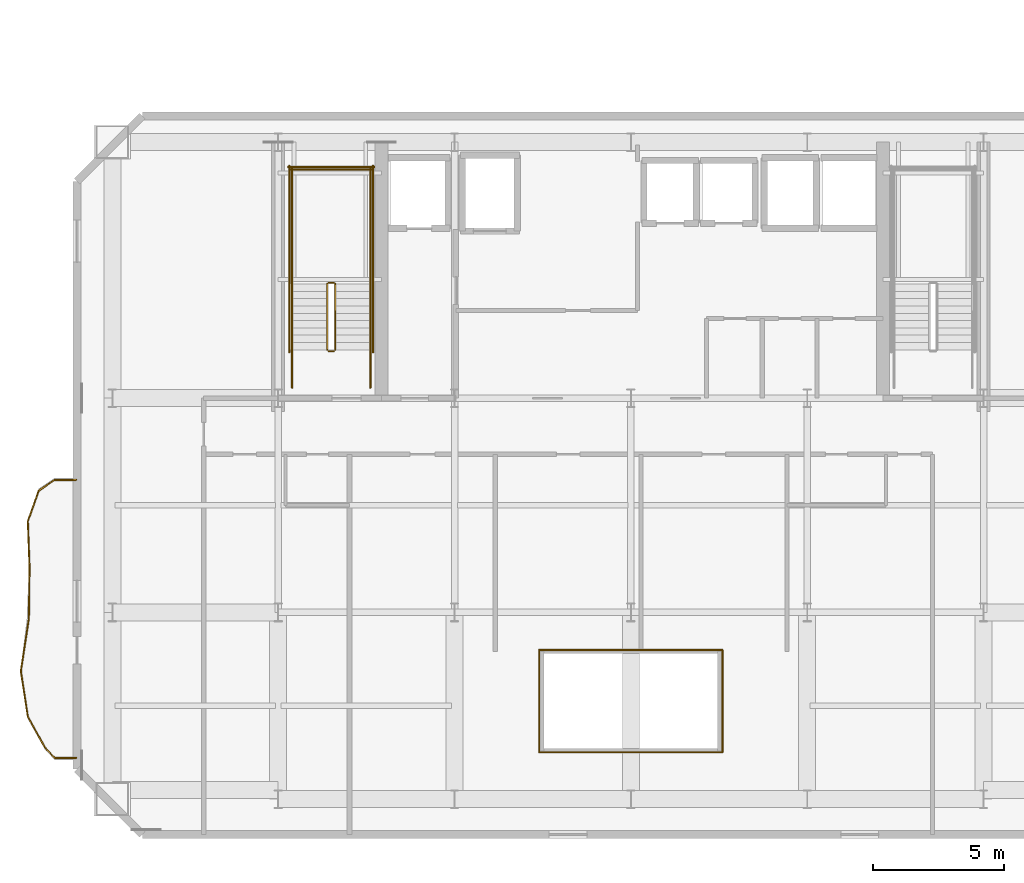
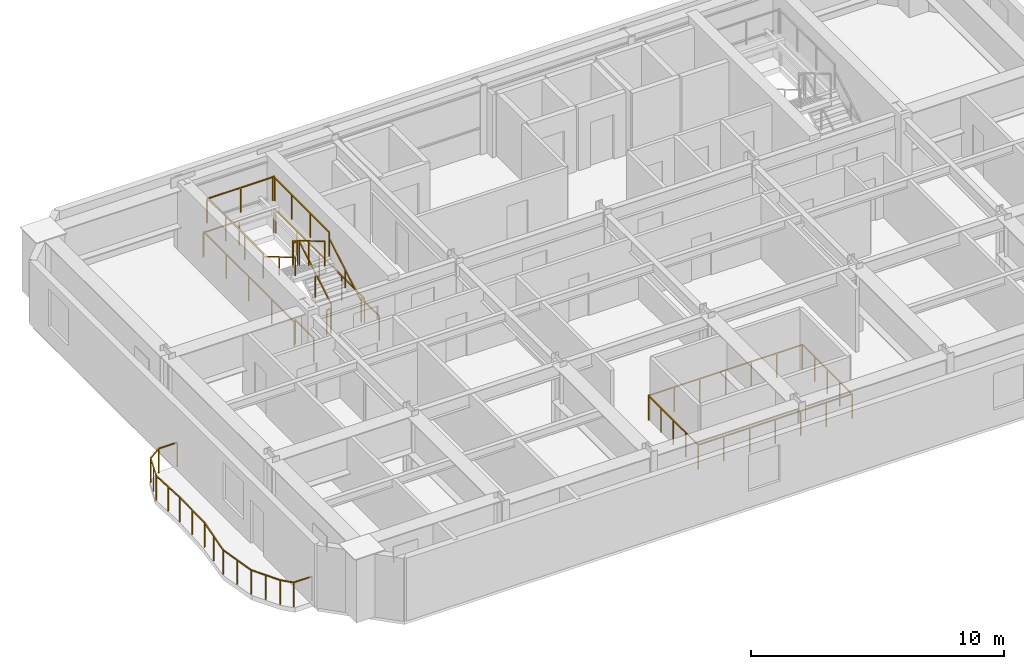
# One storey, part 12 of 15: 28 railings.
"""IFC4 building model written with IfcOpenShell, lengths in metres."""

from ifc_helpers import new_model, si_unit, direction, frame, origin, origin_2d, place, context, subcontext, project, spatial, rectangle, extrude, material, type_object, element, save


model = new_model("IFC4")

# Units and contexts
model_context = context("Model", 3, precision=1e-05, world=origin(), true_north=direction((0.0, 1.0)))
body_context = subcontext(model_context, "Body", "Model", "MODEL_VIEW")
ifc_project = project(units=[si_unit("LENGTHUNIT", "METRE"), si_unit("AREAUNIT", "SQUARE_METRE"), si_unit("VOLUMEUNIT", "CUBIC_METRE"), si_unit("PLANEANGLEUNIT", "RADIAN"), si_unit("MASSUNIT", "GRAM", prefix="KILO")], contexts=[model_context])

# Site, building, storey
site_placement = place(None, origin())
site = spatial("IfcSite", under=ifc_project, at=site_placement, CompositionType="ELEMENT")
building_placement = place(site_placement, origin())
building = spatial("IfcBuilding", under=site, at=building_placement, Name="Haevon Station Towers", CompositionType="ELEMENT")
storey_placement = place(building_placement, frame((0.0, 0.0, 152.699951171875)))
storey = spatial("IfcBuildingStorey", under=building, at=storey_placement, Name="L41", CompositionType="ELEMENT", Elevation=152.699951171875)

# Railings
ifc_material = material(Name="Steel S355", Category="steel")
railing_type_1 = type_object("IfcRailingType", Name="BAL-ATR1200", PredefinedType="BALUSTRADE", material=ifc_material)
railing_1_placement = place(storey_placement, frame((33.995361328125, 24.641357421875, 0.0)))
element("IfcRailing", 1, at=railing_1_placement, inside=storey, type_object=railing_type_1, Name="L41 Atrium Void Balustrade 1", PredefinedType="BALUSTRADE", context=body_context, shape_type="SweptSolid", body=[
    extrude(rectangle(XDim=0.048095703125, YDim=0.048095703125, at=origin_2d()), frame((0.0, 0.0, 1.17578125), z_axis=(1.0, 0.0, 0.0), x_axis=(0.0, 1.0, 0.0)), (0.0, 0.0, 1.0), 7.00927734375),
    extrude(rectangle(XDim=0.0419921875, YDim=0.0419921875, at=origin_2d()), origin(), (0.0, 0.0, 1.0), 1.15185546875),
    extrude(rectangle(XDim=0.0419921875, YDim=0.0419921875, at=origin_2d()), frame((1.168212890625, 0.0, 0.0)), (0.0, 0.0, 1.0), 1.15185546875),
    extrude(rectangle(XDim=0.0419921875, YDim=0.0419921875, at=origin_2d()), frame((2.33642578125, 0.0, 0.0)), (0.0, 0.0, 1.0), 1.15185546875),
    extrude(rectangle(XDim=0.0419921875, YDim=0.0419921875, at=origin_2d()), frame((3.504638671875, 0.0, 0.0)), (0.0, 0.0, 1.0), 1.15185546875),
    extrude(rectangle(XDim=0.0419921875, YDim=0.0419921875, at=origin_2d()), frame((4.6728515625, 0.0, 0.0)), (0.0, 0.0, 1.0), 1.15185546875),
    extrude(rectangle(XDim=0.0419921875, YDim=0.0419921875, at=origin_2d()), frame((5.841064453125, 0.0, 0.0)), (0.0, 0.0, 1.0), 1.15185546875),
    extrude(rectangle(XDim=0.0419921875, YDim=0.0419921875, at=origin_2d()), frame((7.00927734375, 0.0, 0.0)), (0.0, 0.0, 1.0), 1.15185546875),
])
railing_2_placement = place(storey_placement, frame((41.004638671875, 24.641357421875, 0.0)))
element("IfcRailing", 2, at=railing_2_placement, inside=storey, type_object=railing_type_1, Name="L41 Atrium Void Balustrade 2", PredefinedType="BALUSTRADE", context=body_context, shape_type="SweptSolid", body=[
    extrude(rectangle(XDim=0.048095703125, YDim=0.048095703125, at=origin_2d()), frame((0.0, 0.0, 1.17578125), z_axis=(0.0, 1.0, 0.0), x_axis=(-1.0, 0.0, 0.0)), (0.0, 0.0, 1.0), 3.917236328125),
    extrude(rectangle(XDim=0.0419921875, YDim=0.0419921875, at=origin_2d()), origin(), (0.0, 0.0, 1.0), 1.15185546875),
    extrude(rectangle(XDim=0.0419921875, YDim=0.0419921875, at=origin_2d()), frame((0.0, 0.979248046875, 0.0)), (0.0, 0.0, 1.0), 1.15185546875),
    extrude(rectangle(XDim=0.0419921875, YDim=0.0419921875, at=origin_2d()), frame((0.0, 1.95849609375, 0.0)), (0.0, 0.0, 1.0), 1.15185546875),
    extrude(rectangle(XDim=0.0419921875, YDim=0.0419921875, at=origin_2d()), frame((0.0, 2.93798828125, 0.0)), (0.0, 0.0, 1.0), 1.15185546875),
    extrude(rectangle(XDim=0.0419921875, YDim=0.0419921875, at=origin_2d()), frame((0.0, 3.917236328125, 0.0)), (0.0, 0.0, 1.0), 1.15185546875),
])
railing_3_placement = place(storey_placement, frame((41.004638671875, 28.55859375, 0.0)))
element("IfcRailing", 3, at=railing_3_placement, inside=storey, type_object=railing_type_1, Name="L41 Atrium Void Balustrade 3", PredefinedType="BALUSTRADE", context=body_context, shape_type="SweptSolid", body=[
    extrude(rectangle(XDim=0.048095703125, YDim=0.048095703125, at=origin_2d()), frame((0.0, 0.0, 1.17578125), z_axis=(-1.0, 0.0, 0.0), x_axis=(0.0, -1.0, 0.0)), (0.0, 0.0, 1.0), 7.00927734375),
    extrude(rectangle(XDim=0.0419921875, YDim=0.0419921875, at=origin_2d()), origin(), (0.0, 0.0, 1.0), 1.15185546875),
    extrude(rectangle(XDim=0.0419921875, YDim=0.0419921875, at=origin_2d()), frame((-1.168212890625, 0.0, 0.0)), (0.0, 0.0, 1.0), 1.15185546875),
    extrude(rectangle(XDim=0.0419921875, YDim=0.0419921875, at=origin_2d()), frame((-2.33642578125, 0.0, 0.0)), (0.0, 0.0, 1.0), 1.15185546875),
    extrude(rectangle(XDim=0.0419921875, YDim=0.0419921875, at=origin_2d()), frame((-3.504638671875, 0.0, 0.0)), (0.0, 0.0, 1.0), 1.15185546875),
    extrude(rectangle(XDim=0.0419921875, YDim=0.0419921875, at=origin_2d()), frame((-4.6728515625, 0.0, 0.0)), (0.0, 0.0, 1.0), 1.15185546875),
    extrude(rectangle(XDim=0.0419921875, YDim=0.0419921875, at=origin_2d()), frame((-5.841064453125, 0.0, 0.0)), (0.0, 0.0, 1.0), 1.15185546875),
    extrude(rectangle(XDim=0.0419921875, YDim=0.0419921875, at=origin_2d()), frame((-7.00927734375, 0.0, 0.0)), (0.0, 0.0, 1.0), 1.15185546875),
])
railing_4_placement = place(storey_placement, frame((33.995361328125, 28.55859375, 0.0)))
element("IfcRailing", 4, at=railing_4_placement, inside=storey, type_object=railing_type_1, Name="L41 Atrium Void Balustrade 4", PredefinedType="BALUSTRADE", context=body_context, shape_type="SweptSolid", body=[
    extrude(rectangle(XDim=0.048095703125, YDim=0.048095703125, at=origin_2d()), frame((0.0, 0.0, 1.17578125), z_axis=(0.0, -1.0, 0.0), x_axis=(1.0, 0.0, 0.0)), (0.0, 0.0, 1.0), 3.917236328125),
    extrude(rectangle(XDim=0.0419921875, YDim=0.0419921875, at=origin_2d()), origin(), (0.0, 0.0, 1.0), 1.15185546875),
    extrude(rectangle(XDim=0.0419921875, YDim=0.0419921875, at=origin_2d()), frame((0.0, -0.979248046875, 0.0)), (0.0, 0.0, 1.0), 1.15185546875),
    extrude(rectangle(XDim=0.0419921875, YDim=0.0419921875, at=origin_2d()), frame((0.0, -1.95849609375, 0.0)), (0.0, 0.0, 1.0), 1.15185546875),
    extrude(rectangle(XDim=0.0419921875, YDim=0.0419921875, at=origin_2d()), frame((0.0, -2.93798828125, 0.0)), (0.0, 0.0, 1.0), 1.15185546875),
    extrude(rectangle(XDim=0.0419921875, YDim=0.0419921875, at=origin_2d()), frame((0.0, -3.917236328125, 0.0)), (0.0, 0.0, 1.0), 1.15185546875),
])
railing_type_2 = type_object("IfcRailingType", Name="GRD-EXT1200", PredefinedType="GUARDRAIL", material=ifc_material)
railing_5_placement = place(storey_placement, frame((16.276611328125, 35.072265625, 0.0)))
element("IfcRailing", 5, at=railing_5_placement, inside=storey, type_object=railing_type_2, Name="L41 Perimeter Guardrail 1", PredefinedType="GUARDRAIL", context=body_context, shape_type="SweptSolid", body=[
    extrude(rectangle(XDim=0.048095703125, YDim=0.048095703125, at=origin_2d()), frame((0.0, 0.0, 1.17578125), z_axis=(-0.999997283225, -0.002330995998, 0.0), x_axis=(0.002330995998, -0.999997283225, 0.0)), (0.0, 0.0, 1.0), 0.837890625),
    extrude(rectangle(XDim=0.0419921875, YDim=0.0419921875, at=origin_2d()), origin(), (0.0, 0.0, 1.0), 1.15185546875),
    extrude(rectangle(XDim=0.0419921875, YDim=0.0419921875, at=origin_2d()), frame((-0.837890625, -0.001953125, 0.0)), (0.0, 0.0, 1.0), 1.15185546875),
])
railing_6_placement = place(storey_placement, frame((15.438720703125, 35.0703125, 0.0)))
element("IfcRailing", 6, at=railing_6_placement, inside=storey, type_object=railing_type_2, Name="L41 Perimeter Guardrail 2", PredefinedType="GUARDRAIL", context=body_context, shape_type="SweptSolid", body=[
    extrude(rectangle(XDim=0.048095703125, YDim=0.048095703125, at=origin_2d()), frame((0.0, 0.0, 1.17578125), z_axis=(-0.826615776088, -0.562766700084, 0.0), x_axis=(0.562766700084, -0.826615776088, 0.0)), (0.0, 0.0, 1.0), 0.73095703125),
    extrude(rectangle(XDim=0.0419921875, YDim=0.0419921875, at=origin_2d()), origin(), (0.0, 0.0, 1.0), 1.15185546875),
    extrude(rectangle(XDim=0.0419921875, YDim=0.0419921875, at=origin_2d()), frame((-0.604248046875, -0.411376953125, 0.0)), (0.0, 0.0, 1.0), 1.15185546875),
])
railing_7_placement = place(storey_placement, frame((14.83447265625, 34.658935546875, 0.0)))
element("IfcRailing", 7, at=railing_7_placement, inside=storey, type_object=railing_type_2, Name="L41 Perimeter Guardrail 3", PredefinedType="GUARDRAIL", context=body_context, shape_type="SweptSolid", body=[
    extrude(rectangle(XDim=0.048095703125, YDim=0.048095703125, at=origin_2d()), frame((0.0, 0.0, 1.17578125), z_axis=(-0.337369310721, -0.941372374878, 0.0), x_axis=(0.941372374878, -0.337369310721, 0.0)), (0.0, 0.0, 1.0), 1.242431640625),
    extrude(rectangle(XDim=0.0419921875, YDim=0.0419921875, at=origin_2d()), origin(), (0.0, 0.0, 1.0), 1.15185546875),
    extrude(rectangle(XDim=0.0419921875, YDim=0.0419921875, at=origin_2d()), frame((-0.20947265625, -0.5849609375, 0.0)), (0.0, 0.0, 1.0), 1.15185546875),
    extrude(rectangle(XDim=0.0419921875, YDim=0.0419921875, at=origin_2d()), frame((-0.419189453125, -1.169677734375, 0.0)), (0.0, 0.0, 1.0), 1.15185546875),
])
railing_8_placement = place(storey_placement, frame((14.415283203125, 33.4892578125, 0.0)))
element("IfcRailing", 8, at=railing_8_placement, inside=storey, type_object=railing_type_2, Name="L41 Perimeter Guardrail 4", PredefinedType="GUARDRAIL", context=body_context, shape_type="SweptSolid", body=[
    extrude(rectangle(XDim=0.048095703125, YDim=0.048095703125, at=origin_2d()), frame((0.0, 0.0, 1.17578125), z_axis=(0.03694462727, -0.999317314228, 0.0), x_axis=(0.999317314228, 0.03694462727, 0.0)), (0.0, 0.0, 1.0), 1.751220703125),
    extrude(rectangle(XDim=0.0419921875, YDim=0.0419921875, at=origin_2d()), origin(), (0.0, 0.0, 1.0), 1.15185546875),
    extrude(rectangle(XDim=0.0419921875, YDim=0.0419921875, at=origin_2d()), frame((0.0322265625, -0.875, 0.0)), (0.0, 0.0, 1.0), 1.15185546875),
    extrude(rectangle(XDim=0.0419921875, YDim=0.0419921875, at=origin_2d()), frame((0.064697265625, -1.75, 0.0)), (0.0, 0.0, 1.0), 1.15185546875),
])
railing_9_placement = place(storey_placement, frame((14.47998046875, 31.7392578125, 0.0)))
element("IfcRailing", 9, at=railing_9_placement, inside=storey, type_object=railing_type_2, Name="L41 Perimeter Guardrail 5", PredefinedType="GUARDRAIL", context=body_context, shape_type="SweptSolid", body=[
    extrude(rectangle(XDim=0.048095703125, YDim=0.048095703125, at=origin_2d()), frame((0.0, 0.0, 1.17578125), z_axis=(-0.012885528069, -0.999916978137, 0.0), x_axis=(0.999916978137, -0.012885528069, 0.0)), (0.0, 0.0, 1.0), 1.989501953125),
    extrude(rectangle(XDim=0.0419921875, YDim=0.0419921875, at=origin_2d()), origin(), (0.0, 0.0, 1.0), 1.15185546875),
    extrude(rectangle(XDim=0.0419921875, YDim=0.0419921875, at=origin_2d()), frame((-0.0126953125, -0.99462890625, 0.0)), (0.0, 0.0, 1.0), 1.15185546875),
    extrude(rectangle(XDim=0.0419921875, YDim=0.0419921875, at=origin_2d()), frame((-0.025634765625, -1.9892578125, 0.0)), (0.0, 0.0, 1.0), 1.15185546875),
])
railing_10_placement = place(storey_placement, frame((14.454345703125, 29.75, 0.0)))
element("IfcRailing", 10, at=railing_10_placement, inside=storey, type_object=railing_type_2, Name="L41 Perimeter Guardrail 6", PredefinedType="GUARDRAIL", context=body_context, shape_type="SweptSolid", body=[
    extrude(rectangle(XDim=0.048095703125, YDim=0.048095703125, at=origin_2d()), frame((0.0, 0.0, 1.17578125), z_axis=(-0.151938915534, -0.988389885595, 0.0), x_axis=(0.988389885595, -0.151938915534, 0.0)), (0.0, 0.0, 1.0), 2.0166015625),
    extrude(rectangle(XDim=0.0419921875, YDim=0.0419921875, at=origin_2d()), origin(), (0.0, 0.0, 1.0), 1.15185546875),
    extrude(rectangle(XDim=0.0419921875, YDim=0.0419921875, at=origin_2d()), frame((-0.1533203125, -0.99658203125, 0.0)), (0.0, 0.0, 1.0), 1.15185546875),
    extrude(rectangle(XDim=0.0419921875, YDim=0.0419921875, at=origin_2d()), frame((-0.306396484375, -1.9931640625, 0.0)), (0.0, 0.0, 1.0), 1.15185546875),
])
railing_11_placement = place(storey_placement, frame((14.14794921875, 27.7568359375, 0.0)))
element("IfcRailing", 11, at=railing_11_placement, inside=storey, type_object=railing_type_2, Name="L41 Perimeter Guardrail 7", PredefinedType="GUARDRAIL", context=body_context, shape_type="SweptSolid", body=[
    extrude(rectangle(XDim=0.048095703125, YDim=0.048095703125, at=origin_2d()), frame((0.0, 0.0, 1.17578125), z_axis=(0.1513405267, -0.988481686719, 0.0), x_axis=(0.988481686719, 0.1513405267, 0.0)), (0.0, 0.0, 1.0), 1.766357421875),
    extrude(rectangle(XDim=0.0419921875, YDim=0.0419921875, at=origin_2d()), origin(), (0.0, 0.0, 1.0), 1.15185546875),
    extrude(rectangle(XDim=0.0419921875, YDim=0.0419921875, at=origin_2d()), frame((0.1337890625, -0.873046875, 0.0)), (0.0, 0.0, 1.0), 1.15185546875),
    extrude(rectangle(XDim=0.0419921875, YDim=0.0419921875, at=origin_2d()), frame((0.267333984375, -1.74609375, 0.0)), (0.0, 0.0, 1.0), 1.15185546875),
])
railing_12_placement = place(storey_placement, frame((14.415283203125, 26.0107421875, 0.0)))
element("IfcRailing", 12, at=railing_12_placement, inside=storey, type_object=railing_type_2, Name="L41 Perimeter Guardrail 8", PredefinedType="GUARDRAIL", context=body_context, shape_type="SweptSolid", body=[
    extrude(rectangle(XDim=0.048095703125, YDim=0.048095703125, at=origin_2d()), frame((0.0, 0.0, 1.17578125), z_axis=(0.483454046519, -0.875369741826, 0.0), x_axis=(0.875369741826, 0.483454046519, 0.0)), (0.0, 0.0, 1.0), 1.336181640625),
    extrude(rectangle(XDim=0.0419921875, YDim=0.0419921875, at=origin_2d()), origin(), (0.0, 0.0, 1.0), 1.15185546875),
    extrude(rectangle(XDim=0.0419921875, YDim=0.0419921875, at=origin_2d()), frame((0.322998046875, -0.5849609375, 0.0)), (0.0, 0.0, 1.0), 1.15185546875),
    extrude(rectangle(XDim=0.0419921875, YDim=0.0419921875, at=origin_2d()), frame((0.64599609375, -1.169677734375, 0.0)), (0.0, 0.0, 1.0), 1.15185546875),
])
railing_13_placement = place(storey_placement, frame((15.061279296875, 24.841064453125, 0.0)))
element("IfcRailing", 13, at=railing_13_placement, inside=storey, type_object=railing_type_2, Name="L41 Perimeter Guardrail 9", PredefinedType="GUARDRAIL", context=body_context, shape_type="SweptSolid", body=[
    extrude(rectangle(XDim=0.048095703125, YDim=0.048095703125, at=origin_2d()), frame((0.0, 0.0, 1.17578125), z_axis=(0.676061194254, -0.736845480154, 0.0), x_axis=(0.736845480154, 0.676061194254, 0.0)), (0.0, 0.0, 1.0), 0.558349609375),
    extrude(rectangle(XDim=0.0419921875, YDim=0.0419921875, at=origin_2d()), origin(), (0.0, 0.0, 1.0), 1.15185546875),
    extrude(rectangle(XDim=0.0419921875, YDim=0.0419921875, at=origin_2d()), frame((0.37744140625, -0.411376953125, 0.0)), (0.0, 0.0, 1.0), 1.15185546875),
])
railing_14_placement = place(storey_placement, frame((15.438720703125, 24.4296875, 0.0)))
element("IfcRailing", 14, at=railing_14_placement, inside=storey, type_object=railing_type_2, Name="L41 Perimeter Guardrail 10", PredefinedType="GUARDRAIL", context=body_context, shape_type="SweptSolid", body=[
    extrude(rectangle(XDim=0.048095703125, YDim=0.048095703125, at=origin_2d()), frame((0.0, 0.0, 1.17578125), z_axis=(0.999997283225, -0.002330995998, 0.0), x_axis=(0.002330995998, 0.999997283225, 0.0)), (0.0, 0.0, 1.0), 0.837890625),
    extrude(rectangle(XDim=0.0419921875, YDim=0.0419921875, at=origin_2d()), origin(), (0.0, 0.0, 1.0), 1.15185546875),
    extrude(rectangle(XDim=0.0419921875, YDim=0.0419921875, at=origin_2d()), frame((0.837890625, -0.001953125, 0.0)), (0.0, 0.0, 1.0), 1.15185546875),
])
railing_type_3 = type_object("IfcRailingType", Name="GRD-STR1200", PredefinedType="GUARDRAIL", material=ifc_material)
railing_15_placement = place(storey_placement, frame((26.179931640625, 40.050048828125, 0.1650390625)))
element("IfcRailing", 15, at=railing_15_placement, inside=storey, type_object=railing_type_3, Name="L41 ST1 Stair Guard 1", PredefinedType="GUARDRAIL", context=body_context, shape_type="SweptSolid", body=[
    extrude(rectangle(XDim=0.048095703125, YDim=0.048095703125, at=origin_2d()), frame((0.0, 0.0, 1.17578125), z_axis=(0.0, 0.86152411907, 0.507716645641), x_axis=(-1.0, 0.0, 0.0)), (0.0, 0.0, 1.0), 2.925048828125),
    extrude(rectangle(XDim=0.0419921875, YDim=0.0419921875, at=origin_2d()), origin(), (0.0, 0.0, 1.0), 1.15185546875),
    extrude(rectangle(XDim=0.0419921875, YDim=0.0419921875, at=origin_2d()), frame((0.0, 1.260009765625, 0.74267578125)), (0.0, 0.0, 1.0), 1.15185546875),
    extrude(rectangle(XDim=0.0419921875, YDim=0.0419921875, at=origin_2d()), frame((0.0, 2.52001953125, 1.485107421875)), (0.0, 0.0, 1.0), 1.15185546875),
])
railing_16_placement = place(storey_placement, frame((26.1298828125, 42.6201171875, 1.650146484375)))
element("IfcRailing", 16, at=railing_16_placement, inside=storey, type_object=railing_type_3, Name="L41 ST1 Stair Guard 2", PredefinedType="GUARDRAIL", context=body_context, shape_type="SweptSolid", body=[
    extrude(rectangle(XDim=0.048095703125, YDim=0.048095703125, at=origin_2d()), frame((0.0, 0.0, 1.17578125), z_axis=(-1.0, 0.0, 0.0), x_axis=(0.0, -1.0, 0.0)), (0.0, 0.0, 1.0), 0.199951171875),
    extrude(rectangle(XDim=0.0419921875, YDim=0.0419921875, at=origin_2d()), origin(), (0.0, 0.0, 1.0), 1.15185546875),
    extrude(rectangle(XDim=0.0419921875, YDim=0.0419921875, at=origin_2d()), frame((-0.199951171875, 0.0, 0.0)), (0.0, 0.0, 1.0), 1.15185546875),
])
for number, where, name in (
    (17, (27.530029296875, 42.570068359375, 1.650146484375), "L41 ST1 Stair Guard 3"),
    (18, (24.530029296875, 42.570068359375, 1.650146484375), "L41 ST1 Stair Guard 4"),
):
    element("IfcRailing", number, at=place(storey_placement, frame(where)), inside=storey, type_object=railing_type_3, Name=name, PredefinedType="GUARDRAIL", context=body_context, shape_type="SweptSolid", body=[
        extrude(rectangle(XDim=0.048095703125, YDim=0.048095703125, at=origin_2d()), frame((0.0, 0.0, 1.17578125), z_axis=(0.0, 1.0, 0.0), x_axis=(-1.0, 0.0, 0.0)), (0.0, 0.0, 1.0), 4.429931640625),
        extrude(rectangle(XDim=0.0419921875, YDim=0.0419921875, at=origin_2d()), origin(), (0.0, 0.0, 1.0), 1.15185546875),
        extrude(rectangle(XDim=0.0419921875, YDim=0.0419921875, at=origin_2d()), frame((0.0, 1.4765625, 0.0)), (0.0, 0.0, 1.0), 1.15185546875),
        extrude(rectangle(XDim=0.0419921875, YDim=0.0419921875, at=origin_2d()), frame((0.0, 2.953369140625, 0.0)), (0.0, 0.0, 1.0), 1.15185546875),
        extrude(rectangle(XDim=0.0419921875, YDim=0.0419921875, at=origin_2d()), frame((0.0, 4.429931640625, 0.0)), (0.0, 0.0, 1.0), 1.15185546875),
    ])
railing_17_placement = place(storey_placement, frame((27.580078125, 46.949951171875, 1.650146484375)))
element("IfcRailing", 19, at=railing_17_placement, inside=storey, type_object=railing_type_3, Name="L41 ST1 Stair Guard 5", PredefinedType="GUARDRAIL", context=body_context, shape_type="SweptSolid", body=[
    extrude(rectangle(XDim=0.048095703125, YDim=0.048095703125, at=origin_2d()), frame((0.0, 0.0, 1.17578125), z_axis=(-1.0, 0.0, 0.0), x_axis=(0.0, -1.0, 0.0)), (0.0, 0.0, 1.0), 3.10009765625),
    extrude(rectangle(XDim=0.0419921875, YDim=0.0419921875, at=origin_2d()), origin(), (0.0, 0.0, 1.0), 1.15185546875),
    extrude(rectangle(XDim=0.0419921875, YDim=0.0419921875, at=origin_2d()), frame((-1.550048828125, 0.0, 0.0)), (0.0, 0.0, 1.0), 1.15185546875),
    extrude(rectangle(XDim=0.0419921875, YDim=0.0419921875, at=origin_2d()), frame((-3.10009765625, 0.0, 0.0)), (0.0, 0.0, 1.0), 1.15185546875),
])
railing_18_placement = place(storey_placement, frame((25.8798828125, 42.570068359375, 1.81494140625)))
element("IfcRailing", 20, at=railing_18_placement, inside=storey, type_object=railing_type_3, Name="L41 ST1 Stair Guard 6", PredefinedType="GUARDRAIL", context=body_context, shape_type="SweptSolid", body=[
    extrude(rectangle(XDim=0.048095703125, YDim=0.048095703125, at=origin_2d()), frame((0.0, 0.0, 1.17578125), z_axis=(0.0, -0.86152411907, 0.507716645641), x_axis=(1.0, 0.0, 0.0)), (0.0, 0.0, 1.0), 2.925048828125),
    extrude(rectangle(XDim=0.0419921875, YDim=0.0419921875, at=origin_2d()), origin(), (0.0, 0.0, 1.0), 1.15185546875),
    extrude(rectangle(XDim=0.0419921875, YDim=0.0419921875, at=origin_2d()), frame((0.0, -1.260009765625, 0.74267578125)), (0.0, 0.0, 1.0), 1.15185546875),
    extrude(rectangle(XDim=0.0419921875, YDim=0.0419921875, at=origin_2d()), frame((0.0, -2.52001953125, 1.485107421875)), (0.0, 0.0, 1.0), 1.15185546875),
])
railing_19_placement = place(storey_placement, frame((26.1298828125, 40.0, 0.0)))
element("IfcRailing", 21, at=railing_19_placement, inside=storey, type_object=railing_type_3, Name="L41 ST1 Stair Guard 7", PredefinedType="GUARDRAIL", context=body_context, shape_type="SweptSolid", body=[
    extrude(rectangle(XDim=0.048095703125, YDim=0.048095703125, at=origin_2d()), frame((0.0, 0.0, 1.17578125), z_axis=(-1.0, 0.0, 0.0), x_axis=(0.0, -1.0, 0.0)), (0.0, 0.0, 1.0), 0.199951171875),
    extrude(rectangle(XDim=0.0419921875, YDim=0.0419921875, at=origin_2d()), origin(), (0.0, 0.0, 1.0), 1.15185546875),
    extrude(rectangle(XDim=0.0419921875, YDim=0.0419921875, at=origin_2d()), frame((-0.199951171875, 0.0, 0.0)), (0.0, 0.0, 1.0), 1.15185546875),
])
for number, where, name in (
    (22, (27.530029296875, 38.60009765625, 0.0), "L41 ST1 Stair Guard 8"),
    (23, (24.530029296875, 38.60009765625, 0.0), "L41 ST1 Stair Guard 9"),
):
    element("IfcRailing", number, at=place(storey_placement, frame(where)), inside=storey, type_object=railing_type_3, Name=name, PredefinedType="GUARDRAIL", context=body_context, shape_type="SweptSolid", body=[
        extrude(rectangle(XDim=0.048095703125, YDim=0.048095703125, at=origin_2d()), frame((0.0, 0.0, 1.17578125), z_axis=(0.0, 1.0, 0.0), x_axis=(-1.0, 0.0, 0.0)), (0.0, 0.0, 1.0), 1.449951171875),
        extrude(rectangle(XDim=0.0419921875, YDim=0.0419921875, at=origin_2d()), origin(), (0.0, 0.0, 1.0), 1.15185546875),
        extrude(rectangle(XDim=0.0419921875, YDim=0.0419921875, at=origin_2d()), frame((0.0, 1.449951171875, 0.0)), (0.0, 0.0, 1.0), 1.15185546875),
    ])
for number, where, name in (
    (24, (27.6298828125, 39.949951171875, 0.0), "L41 ST1 Stair Guard 10"),
    (25, (24.429931640625, 39.949951171875, 0.0), "L41 ST1 Stair Guard 11"),
):
    element("IfcRailing", number, at=place(storey_placement, frame(where)), inside=storey, type_object=railing_type_3, Name=name, PredefinedType="GUARDRAIL", context=body_context, shape_type="SweptSolid", body=[
        extrude(rectangle(XDim=0.048095703125, YDim=0.048095703125, at=origin_2d()), frame((0.0, 0.0, 1.17578125), z_axis=(0.0, 1.0, 0.0), x_axis=(-1.0, 0.0, 0.0)), (0.0, 0.0, 1.0), 7.150146484375),
        extrude(rectangle(XDim=0.0419921875, YDim=0.0419921875, at=origin_2d()), origin(), (0.0, 0.0, 1.0), 1.15185546875),
        extrude(rectangle(XDim=0.0419921875, YDim=0.0419921875, at=origin_2d()), frame((0.0, 1.78759765625, 0.0)), (0.0, 0.0, 1.0), 1.15185546875),
        extrude(rectangle(XDim=0.0419921875, YDim=0.0419921875, at=origin_2d()), frame((0.0, 3.5751953125, 0.0)), (0.0, 0.0, 1.0), 1.15185546875),
        extrude(rectangle(XDim=0.0419921875, YDim=0.0419921875, at=origin_2d()), frame((0.0, 5.362548828125, 0.0)), (0.0, 0.0, 1.0), 1.15185546875),
        extrude(rectangle(XDim=0.0419921875, YDim=0.0419921875, at=origin_2d()), frame((0.0, 7.150146484375, 0.0)), (0.0, 0.0, 1.0), 1.15185546875),
    ])
railing_20_placement = place(storey_placement, frame((27.679931640625, 47.050048828125, 0.0)))
element("IfcRailing", 26, at=railing_20_placement, inside=storey, type_object=railing_type_3, Name="L41 ST1 Stair Guard 12", PredefinedType="GUARDRAIL", context=body_context, shape_type="SweptSolid", body=[
    extrude(rectangle(XDim=0.048095703125, YDim=0.048095703125, at=origin_2d()), frame((0.0, 0.0, 1.17578125), z_axis=(-1.0, 0.0, 0.0), x_axis=(0.0, -1.0, 0.0)), (0.0, 0.0, 1.0), 3.300048828125),
    extrude(rectangle(XDim=0.0419921875, YDim=0.0419921875, at=origin_2d()), origin(), (0.0, 0.0, 1.0), 1.15185546875),
    extrude(rectangle(XDim=0.0419921875, YDim=0.0419921875, at=origin_2d()), frame((-1.64990234375, 0.0, 0.0)), (0.0, 0.0, 1.0), 1.15185546875),
    extrude(rectangle(XDim=0.0419921875, YDim=0.0419921875, at=origin_2d()), frame((-3.300048828125, 0.0, 0.0)), (0.0, 0.0, 1.0), 1.15185546875),
])
railing_type_4 = type_object("IfcRailingType", Name="HND-STR900", PredefinedType="HANDRAIL", material=ifc_material)
railing_21_placement = place(storey_placement, frame((27.530029296875, 40.050048828125, 0.1650390625)))
element("IfcRailing", 27, at=railing_21_placement, inside=storey, type_object=railing_type_4, Name="L41 ST1 Stair Handrail 1", PredefinedType="HANDRAIL", context=body_context, shape_type="SweptSolid", body=[
    extrude(rectangle(XDim=0.048095703125, YDim=0.048095703125, at=origin_2d()), frame((0.0, 0.0, 0.8759765625), z_axis=(0.0, 0.86152411907, 0.507716645641), x_axis=(-1.0, 0.0, 0.0)), (0.0, 0.0, 1.0), 2.925048828125),
    extrude(rectangle(XDim=0.0419921875, YDim=0.0419921875, at=origin_2d()), origin(), (0.0, 0.0, 1.0), 0.851806640625),
    extrude(rectangle(XDim=0.0419921875, YDim=0.0419921875, at=origin_2d()), frame((0.0, 1.260009765625, 0.74267578125)), (0.0, 0.0, 1.0), 0.851806640625),
    extrude(rectangle(XDim=0.0419921875, YDim=0.0419921875, at=origin_2d()), frame((0.0, 2.52001953125, 1.485107421875)), (0.0, 0.0, 1.0), 0.851806640625),
])
railing_22_placement = place(storey_placement, frame((24.530029296875, 42.570068359375, 1.81494140625)))
element("IfcRailing", 28, at=railing_22_placement, inside=storey, type_object=railing_type_4, Name="L41 ST1 Stair Handrail 2", PredefinedType="HANDRAIL", context=body_context, shape_type="SweptSolid", body=[
    extrude(rectangle(XDim=0.048095703125, YDim=0.048095703125, at=origin_2d()), frame((0.0, 0.0, 0.8759765625), z_axis=(0.0, -0.86152411907, 0.507716645641), x_axis=(1.0, 0.0, 0.0)), (0.0, 0.0, 1.0), 2.925048828125),
    extrude(rectangle(XDim=0.0419921875, YDim=0.0419921875, at=origin_2d()), origin(), (0.0, 0.0, 1.0), 0.851806640625),
    extrude(rectangle(XDim=0.0419921875, YDim=0.0419921875, at=origin_2d()), frame((0.0, -1.260009765625, 0.74267578125)), (0.0, 0.0, 1.0), 0.851806640625),
    extrude(rectangle(XDim=0.0419921875, YDim=0.0419921875, at=origin_2d()), frame((0.0, -2.52001953125, 1.485107421875)), (0.0, 0.0, 1.0), 0.851806640625),
])

save(model, "model.ifc")
